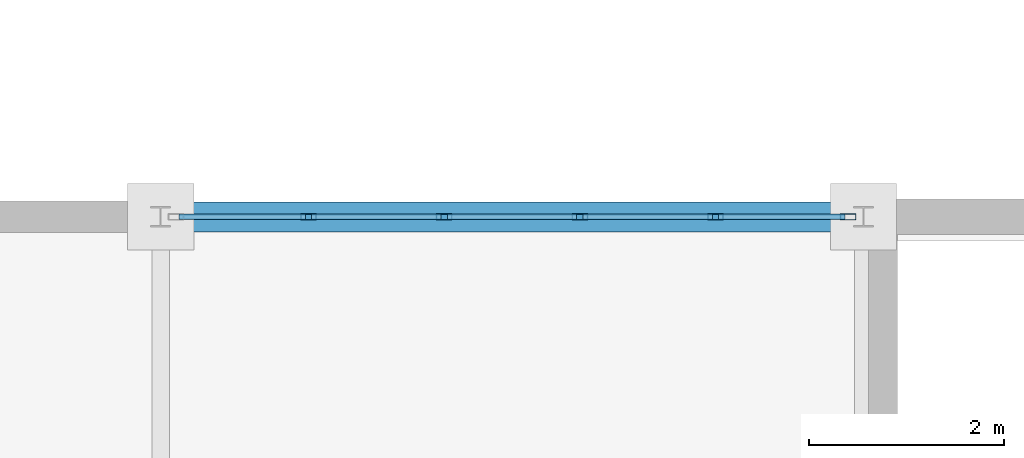
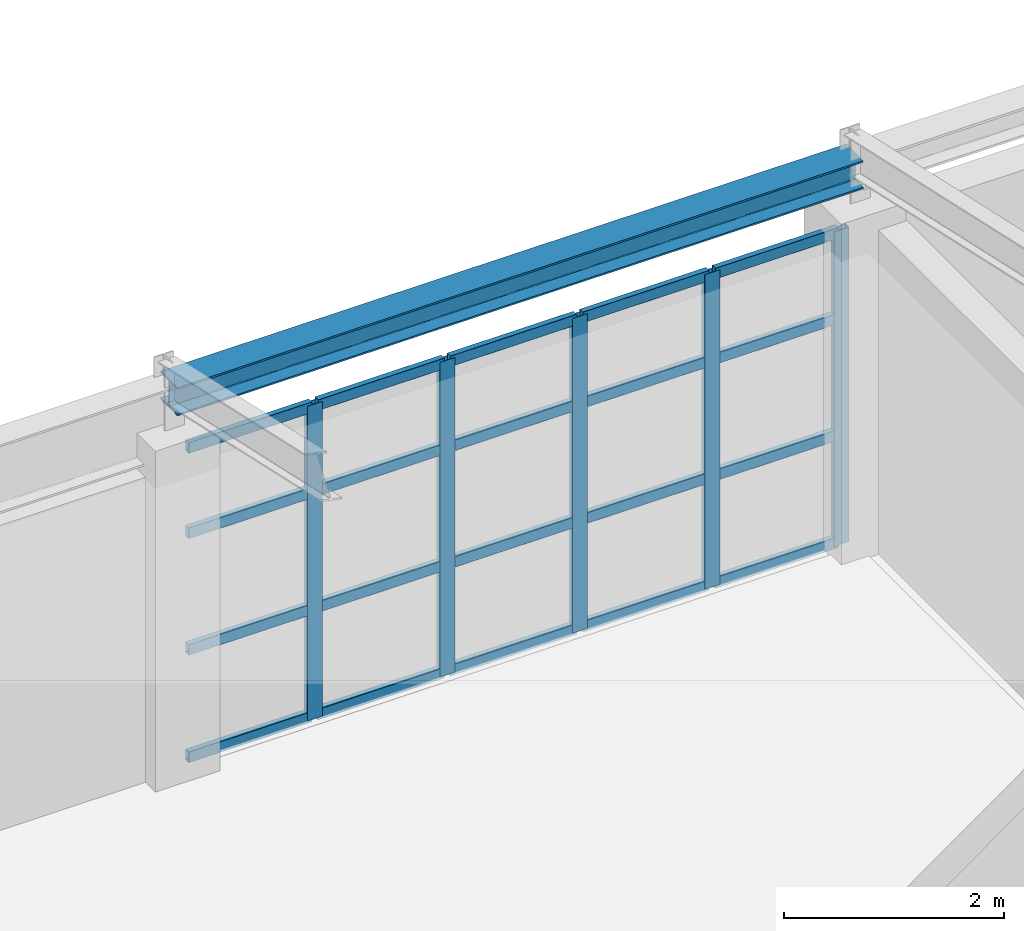
# One storey, part 58 of 101: 25 members, 1 beam, 1 element without a shape of its own.
"""IFC4 building model written with IfcOpenShell, lengths in metres."""

from ifc_helpers import new_model, si_unit, direction, frame, origin, origin_2d, place, context, subcontext, project, spatial, hollow_rectangle, i_section, extrude, material, layer, layer_set, material_profile, profile_set, type_object, element, aggregate, save


model = new_model("IFC4")

# Units and contexts
model_context = context("Model", 3, precision=1e-05, world=origin(), true_north=direction((0.0, 1.0)))
body_context = subcontext(model_context, "Body", "Model", "MODEL_VIEW")
ifc_project = project(units=[si_unit("LENGTHUNIT", "METRE"), si_unit("AREAUNIT", "SQUARE_METRE"), si_unit("VOLUMEUNIT", "CUBIC_METRE"), si_unit("PLANEANGLEUNIT", "RADIAN"), si_unit("MASSUNIT", "GRAM", prefix="KILO")], contexts=[model_context])

# Site, building, storey
site_placement = place(None, origin())
site = spatial("IfcSite", under=ifc_project, at=site_placement, CompositionType="ELEMENT")
building_placement = place(site_placement, origin())
building = spatial("IfcBuilding", under=site, at=building_placement, Name="Kemerveld Promenade Tramway Depot", CompositionType="ELEMENT")
storey_placement = place(building_placement, frame((0.0, 0.0, 9.89990234375)))
storey = spatial("IfcBuildingStorey", under=building, at=storey_placement, Name="L02", CompositionType="ELEMENT", Elevation=9.89990234375)

# Beam
ifc_material_1 = material(Name="Steel S355", Category="steel")
ifc_material_profile_1 = material_profile(ifc_material_1, i_section(OverallWidth=0.307373046875, OverallDepth=0.314453125, WebThickness=0.011962890625, FlangeThickness=0.018798828125, FilletRadius=0.01513671875, at=origin_2d()), Name="305x305x118 UC")
ifc_profile_set_1 = profile_set([ifc_material_profile_1], Name="Steel S355")
beam_type = type_object("IfcBeamType", Name="BM-G12", PredefinedType="BEAM", material=ifc_profile_set_1)
beam_placement = place(storey_placement, frame((79.199951171875, 28.800048828125, 4.117919921875), z_axis=(1.0, 0.0, 0.0), x_axis=(0.0, 1.0, 0.0)))
element("IfcBeam", 1, at=beam_placement, inside=storey, type_object=beam_type, Name="BMX-L02-12-13-E", PredefinedType="BEAM", context=body_context, shape_type="SweptSolid", body=[
    extrude(i_section(OverallWidth=0.307373046875, OverallDepth=0.314453125, WebThickness=0.011962890625, FlangeThickness=0.018798828125, FilletRadius=0.01513671875, at=origin_2d()), origin(), (0.0, 0.0, 1.0), 7.199951171875),
])

# Curtain wall, members
ifc_material_2 = material(Name="Bronze anodised aluminium and solar glass", Category="aluminium")
ifc_layer = layer(ifc_material_2, 0.159912109375)
ifc_layer_set = layer_set([ifc_layer], Name="CW-SYS-07")
curtain_wall_type = type_object("IfcCurtainWallType", Name="CW-SYS-07", PredefinedType="USERDEFINED", material=ifc_layer_set)
curtain_wall_placement = place(storey_placement, origin())
curtain_wall = element("IfcCurtainWall", 2, at=curtain_wall_placement, inside=storey, type_object=curtain_wall_type, Name="CW-L02-V4N-04", ObjectType="GLAZED_CURTAIN_WALL", PredefinedType="USERDEFINED")
ifc_material_3 = material(Name="Bronze anodised aluminium", Category="aluminium")
ifc_material_profile_2 = material_profile(ifc_material_3, hollow_rectangle(XDim=0.06494140625, YDim=0.159912109375, WallThickness=0.00390625, InnerFilletRadius=0.001953125, OuterFilletRadius=0.00390625, at=origin_2d()), Name="CW-MUL-160x65")
ifc_profile_set_2 = profile_set([ifc_material_profile_2], Name="Bronze anodised aluminium")
member_type_1 = type_object("IfcMemberType", Name="CW-MUL-A", PredefinedType="MULLION", material=ifc_profile_set_2)
member_1_placement = place(storey_placement, frame((80.71484375, 28.800048828125, 0.0), z_axis=(0.0, 0.0, 1.0), x_axis=(0.0, 1.0, 0.0)))
member_1 = element("IfcMember", 3, at=member_1_placement, type_object=member_type_1, Name="CW07 mullion 2", PredefinedType="MULLION", context=body_context, shape_type="SweptSolid", body=[
    extrude(hollow_rectangle(XDim=0.06494140625, YDim=0.159912109375, WallThickness=0.00390625, InnerFilletRadius=0.001953125, OuterFilletRadius=0.00390625, at=origin_2d()), origin(), (0.0, 0.0, 1.0), 3.492919921875),
])
member_2_placement = place(storey_placement, frame((82.10498046875, 28.800048828125, 0.0), z_axis=(0.0, 0.0, 1.0), x_axis=(0.0, 1.0, 0.0)))
member_2 = element("IfcMember", 4, at=member_2_placement, type_object=member_type_1, Name="CW07 mullion 3", PredefinedType="MULLION", context=body_context, shape_type="SweptSolid", body=[
    extrude(hollow_rectangle(XDim=0.06494140625, YDim=0.159912109375, WallThickness=0.00390625, InnerFilletRadius=0.001953125, OuterFilletRadius=0.00390625, at=origin_2d()), origin(), (0.0, 0.0, 1.0), 3.492919921875),
])
member_3_placement = place(storey_placement, frame((83.4951171875, 28.800048828125, 0.0), z_axis=(0.0, 0.0, 1.0), x_axis=(0.0, 1.0, 0.0)))
member_3 = element("IfcMember", 5, at=member_3_placement, type_object=member_type_1, Name="CW07 mullion 4", PredefinedType="MULLION", context=body_context, shape_type="SweptSolid", body=[
    extrude(hollow_rectangle(XDim=0.06494140625, YDim=0.159912109375, WallThickness=0.00390625, InnerFilletRadius=0.001953125, OuterFilletRadius=0.00390625, at=origin_2d()), origin(), (0.0, 0.0, 1.0), 3.492919921875),
])
member_4_placement = place(storey_placement, frame((84.885009765625, 28.800048828125, 0.0), z_axis=(0.0, 0.0, 1.0), x_axis=(0.0, 1.0, 0.0)))
member_4 = element("IfcMember", 6, at=member_4_placement, type_object=member_type_1, Name="CW07 mullion 5", PredefinedType="MULLION", context=body_context, shape_type="SweptSolid", body=[
    extrude(hollow_rectangle(XDim=0.06494140625, YDim=0.159912109375, WallThickness=0.00390625, InnerFilletRadius=0.001953125, OuterFilletRadius=0.00390625, at=origin_2d()), origin(), (0.0, 0.0, 1.0), 3.492919921875),
])
member_5_placement = place(storey_placement, frame((86.24267578125, 28.800048828125, 0.0), z_axis=(0.0, 0.0, 1.0), x_axis=(0.0, 1.0, 0.0)))
member_5 = element("IfcMember", 7, at=member_5_placement, type_object=member_type_1, Name="CW07 mullion 6", PredefinedType="MULLION", context=body_context, shape_type="SweptSolid", body=[
    extrude(hollow_rectangle(XDim=0.06494140625, YDim=0.159912109375, WallThickness=0.00390625, InnerFilletRadius=0.001953125, OuterFilletRadius=0.00390625, at=origin_2d()), origin(), (0.0, 0.0, 1.0), 3.492919921875),
])
ifc_material_profile_3 = material_profile(ifc_material_3, hollow_rectangle(XDim=0.06005859375, YDim=0.1201171875, WallThickness=0.00390625, InnerFilletRadius=0.001953125, OuterFilletRadius=0.00390625, at=origin_2d()), Name="CW-TRN-120x60")
ifc_profile_set_3 = profile_set([ifc_material_profile_3], Name="Bronze anodised aluminium")
member_type_2 = type_object("IfcMemberType", Name="CW-TRN-A", PredefinedType="USERDEFINED", material=ifc_profile_set_3)
member_6_placement = place(storey_placement, frame((79.389892578125, 28.800048828125, 0.030029296875), z_axis=(1.0, 0.0, 0.0), x_axis=(0.0, 1.0, 0.0)))
member_6 = element("IfcMember", 8, at=member_6_placement, type_object=member_type_2, Name="CW07 transom 1.1", ObjectType="TRANSOM", PredefinedType="USERDEFINED", context=body_context, shape_type="SweptSolid", body=[
    extrude(hollow_rectangle(XDim=0.06005859375, YDim=0.1201171875, WallThickness=0.00390625, InnerFilletRadius=0.001953125, OuterFilletRadius=0.00390625, at=origin_2d()), origin(), (0.0, 0.0, 1.0), 1.29248046875),
])
member_7_placement = place(storey_placement, frame((79.389892578125, 28.800048828125, 1.22216796875), z_axis=(1.0, 0.0, 0.0), x_axis=(0.0, 1.0, 0.0)))
member_7 = element("IfcMember", 9, at=member_7_placement, type_object=member_type_2, Name="CW07 transom 1.2", ObjectType="TRANSOM", PredefinedType="USERDEFINED", context=body_context, shape_type="SweptSolid", body=[
    extrude(hollow_rectangle(XDim=0.06005859375, YDim=0.1201171875, WallThickness=0.00390625, InnerFilletRadius=0.001953125, OuterFilletRadius=0.00390625, at=origin_2d()), origin(), (0.0, 0.0, 1.0), 1.29248046875),
])
member_8_placement = place(storey_placement, frame((79.389892578125, 28.800048828125, 2.51513671875), z_axis=(1.0, 0.0, 0.0), x_axis=(0.0, 1.0, 0.0)))
member_8 = element("IfcMember", 10, at=member_8_placement, type_object=member_type_2, Name="CW07 transom 1.3", ObjectType="TRANSOM", PredefinedType="USERDEFINED", context=body_context, shape_type="SweptSolid", body=[
    extrude(hollow_rectangle(XDim=0.06005859375, YDim=0.1201171875, WallThickness=0.00390625, InnerFilletRadius=0.001953125, OuterFilletRadius=0.00390625, at=origin_2d()), origin(), (0.0, 0.0, 1.0), 1.29248046875),
])
member_9_placement = place(storey_placement, frame((79.389892578125, 28.800048828125, 3.462890625), z_axis=(1.0, 0.0, 0.0), x_axis=(0.0, 1.0, 0.0)))
member_9 = element("IfcMember", 11, at=member_9_placement, type_object=member_type_2, Name="CW07 transom 1.4", ObjectType="TRANSOM", PredefinedType="USERDEFINED", context=body_context, shape_type="SweptSolid", body=[
    extrude(hollow_rectangle(XDim=0.06005859375, YDim=0.1201171875, WallThickness=0.00390625, InnerFilletRadius=0.001953125, OuterFilletRadius=0.00390625, at=origin_2d()), origin(), (0.0, 0.0, 1.0), 1.29248046875),
])
member_10_placement = place(storey_placement, frame((80.747314453125, 28.800048828125, 0.030029296875), z_axis=(1.0, 0.0, 0.0), x_axis=(0.0, 1.0, 0.0)))
member_10 = element("IfcMember", 12, at=member_10_placement, type_object=member_type_2, Name="CW07 transom 2.1", ObjectType="TRANSOM", PredefinedType="USERDEFINED", context=body_context, shape_type="SweptSolid", body=[
    extrude(hollow_rectangle(XDim=0.06005859375, YDim=0.1201171875, WallThickness=0.00390625, InnerFilletRadius=0.001953125, OuterFilletRadius=0.00390625, at=origin_2d()), origin(), (0.0, 0.0, 1.0), 1.3251953125),
])
member_11_placement = place(storey_placement, frame((80.747314453125, 28.800048828125, 1.22216796875), z_axis=(1.0, 0.0, 0.0), x_axis=(0.0, 1.0, 0.0)))
member_11 = element("IfcMember", 13, at=member_11_placement, type_object=member_type_2, Name="CW07 transom 2.2", ObjectType="TRANSOM", PredefinedType="USERDEFINED", context=body_context, shape_type="SweptSolid", body=[
    extrude(hollow_rectangle(XDim=0.06005859375, YDim=0.1201171875, WallThickness=0.00390625, InnerFilletRadius=0.001953125, OuterFilletRadius=0.00390625, at=origin_2d()), origin(), (0.0, 0.0, 1.0), 1.3251953125),
])
member_12_placement = place(storey_placement, frame((80.747314453125, 28.800048828125, 2.51513671875), z_axis=(1.0, 0.0, 0.0), x_axis=(0.0, 1.0, 0.0)))
member_12 = element("IfcMember", 14, at=member_12_placement, type_object=member_type_2, Name="CW07 transom 2.3", ObjectType="TRANSOM", PredefinedType="USERDEFINED", context=body_context, shape_type="SweptSolid", body=[
    extrude(hollow_rectangle(XDim=0.06005859375, YDim=0.1201171875, WallThickness=0.00390625, InnerFilletRadius=0.001953125, OuterFilletRadius=0.00390625, at=origin_2d()), origin(), (0.0, 0.0, 1.0), 1.3251953125),
])
member_13_placement = place(storey_placement, frame((80.747314453125, 28.800048828125, 3.462890625), z_axis=(1.0, 0.0, 0.0), x_axis=(0.0, 1.0, 0.0)))
member_13 = element("IfcMember", 15, at=member_13_placement, type_object=member_type_2, Name="CW07 transom 2.4", ObjectType="TRANSOM", PredefinedType="USERDEFINED", context=body_context, shape_type="SweptSolid", body=[
    extrude(hollow_rectangle(XDim=0.06005859375, YDim=0.1201171875, WallThickness=0.00390625, InnerFilletRadius=0.001953125, OuterFilletRadius=0.00390625, at=origin_2d()), origin(), (0.0, 0.0, 1.0), 1.3251953125),
])
member_14_placement = place(storey_placement, frame((82.137451171875, 28.800048828125, 0.030029296875), z_axis=(1.0, 0.0, 0.0), x_axis=(0.0, 1.0, 0.0)))
member_14 = element("IfcMember", 16, at=member_14_placement, type_object=member_type_2, Name="CW07 transom 3.1", ObjectType="TRANSOM", PredefinedType="USERDEFINED", context=body_context, shape_type="SweptSolid", body=[
    extrude(hollow_rectangle(XDim=0.06005859375, YDim=0.1201171875, WallThickness=0.00390625, InnerFilletRadius=0.001953125, OuterFilletRadius=0.00390625, at=origin_2d()), origin(), (0.0, 0.0, 1.0), 1.3251953125),
])
member_15_placement = place(storey_placement, frame((82.137451171875, 28.800048828125, 1.22216796875), z_axis=(1.0, 0.0, 0.0), x_axis=(0.0, 1.0, 0.0)))
member_15 = element("IfcMember", 17, at=member_15_placement, type_object=member_type_2, Name="CW07 transom 3.2", ObjectType="TRANSOM", PredefinedType="USERDEFINED", context=body_context, shape_type="SweptSolid", body=[
    extrude(hollow_rectangle(XDim=0.06005859375, YDim=0.1201171875, WallThickness=0.00390625, InnerFilletRadius=0.001953125, OuterFilletRadius=0.00390625, at=origin_2d()), origin(), (0.0, 0.0, 1.0), 1.3251953125),
])
member_16_placement = place(storey_placement, frame((82.137451171875, 28.800048828125, 2.51513671875), z_axis=(1.0, 0.0, 0.0), x_axis=(0.0, 1.0, 0.0)))
member_16 = element("IfcMember", 18, at=member_16_placement, type_object=member_type_2, Name="CW07 transom 3.3", ObjectType="TRANSOM", PredefinedType="USERDEFINED", context=body_context, shape_type="SweptSolid", body=[
    extrude(hollow_rectangle(XDim=0.06005859375, YDim=0.1201171875, WallThickness=0.00390625, InnerFilletRadius=0.001953125, OuterFilletRadius=0.00390625, at=origin_2d()), origin(), (0.0, 0.0, 1.0), 1.3251953125),
])
member_17_placement = place(storey_placement, frame((82.137451171875, 28.800048828125, 3.462890625), z_axis=(1.0, 0.0, 0.0), x_axis=(0.0, 1.0, 0.0)))
member_17 = element("IfcMember", 19, at=member_17_placement, type_object=member_type_2, Name="CW07 transom 3.4", ObjectType="TRANSOM", PredefinedType="USERDEFINED", context=body_context, shape_type="SweptSolid", body=[
    extrude(hollow_rectangle(XDim=0.06005859375, YDim=0.1201171875, WallThickness=0.00390625, InnerFilletRadius=0.001953125, OuterFilletRadius=0.00390625, at=origin_2d()), origin(), (0.0, 0.0, 1.0), 1.3251953125),
])
member_18_placement = place(storey_placement, frame((83.527587890625, 28.800048828125, 0.030029296875), z_axis=(1.0, 0.0, 0.0), x_axis=(0.0, 1.0, 0.0)))
member_18 = element("IfcMember", 20, at=member_18_placement, type_object=member_type_2, Name="CW07 transom 4.1", ObjectType="TRANSOM", PredefinedType="USERDEFINED", context=body_context, shape_type="SweptSolid", body=[
    extrude(hollow_rectangle(XDim=0.06005859375, YDim=0.1201171875, WallThickness=0.00390625, InnerFilletRadius=0.001953125, OuterFilletRadius=0.00390625, at=origin_2d()), origin(), (0.0, 0.0, 1.0), 1.324951171875),
])
member_19_placement = place(storey_placement, frame((83.527587890625, 28.800048828125, 1.22216796875), z_axis=(1.0, 0.0, 0.0), x_axis=(0.0, 1.0, 0.0)))
member_19 = element("IfcMember", 21, at=member_19_placement, type_object=member_type_2, Name="CW07 transom 4.2", ObjectType="TRANSOM", PredefinedType="USERDEFINED", context=body_context, shape_type="SweptSolid", body=[
    extrude(hollow_rectangle(XDim=0.06005859375, YDim=0.1201171875, WallThickness=0.00390625, InnerFilletRadius=0.001953125, OuterFilletRadius=0.00390625, at=origin_2d()), origin(), (0.0, 0.0, 1.0), 1.324951171875),
])
member_20_placement = place(storey_placement, frame((83.527587890625, 28.800048828125, 2.51513671875), z_axis=(1.0, 0.0, 0.0), x_axis=(0.0, 1.0, 0.0)))
member_20 = element("IfcMember", 22, at=member_20_placement, type_object=member_type_2, Name="CW07 transom 4.3", ObjectType="TRANSOM", PredefinedType="USERDEFINED", context=body_context, shape_type="SweptSolid", body=[
    extrude(hollow_rectangle(XDim=0.06005859375, YDim=0.1201171875, WallThickness=0.00390625, InnerFilletRadius=0.001953125, OuterFilletRadius=0.00390625, at=origin_2d()), origin(), (0.0, 0.0, 1.0), 1.324951171875),
])
member_21_placement = place(storey_placement, frame((83.527587890625, 28.800048828125, 3.462890625), z_axis=(1.0, 0.0, 0.0), x_axis=(0.0, 1.0, 0.0)))
member_21 = element("IfcMember", 23, at=member_21_placement, type_object=member_type_2, Name="CW07 transom 4.4", ObjectType="TRANSOM", PredefinedType="USERDEFINED", context=body_context, shape_type="SweptSolid", body=[
    extrude(hollow_rectangle(XDim=0.06005859375, YDim=0.1201171875, WallThickness=0.00390625, InnerFilletRadius=0.001953125, OuterFilletRadius=0.00390625, at=origin_2d()), origin(), (0.0, 0.0, 1.0), 1.324951171875),
])
member_22_placement = place(storey_placement, frame((84.917724609375, 28.800048828125, 0.030029296875), z_axis=(1.0, 0.0, 0.0), x_axis=(0.0, 1.0, 0.0)))
member_22 = element("IfcMember", 24, at=member_22_placement, type_object=member_type_2, Name="CW07 transom 5.1", ObjectType="TRANSOM", PredefinedType="USERDEFINED", context=body_context, shape_type="SweptSolid", body=[
    extrude(hollow_rectangle(XDim=0.06005859375, YDim=0.1201171875, WallThickness=0.00390625, InnerFilletRadius=0.001953125, OuterFilletRadius=0.00390625, at=origin_2d()), origin(), (0.0, 0.0, 1.0), 1.29248046875),
])
member_23_placement = place(storey_placement, frame((84.917724609375, 28.800048828125, 1.22216796875), z_axis=(1.0, 0.0, 0.0), x_axis=(0.0, 1.0, 0.0)))
member_23 = element("IfcMember", 25, at=member_23_placement, type_object=member_type_2, Name="CW07 transom 5.2", ObjectType="TRANSOM", PredefinedType="USERDEFINED", context=body_context, shape_type="SweptSolid", body=[
    extrude(hollow_rectangle(XDim=0.06005859375, YDim=0.1201171875, WallThickness=0.00390625, InnerFilletRadius=0.001953125, OuterFilletRadius=0.00390625, at=origin_2d()), origin(), (0.0, 0.0, 1.0), 1.29248046875),
])
member_24_placement = place(storey_placement, frame((84.917724609375, 28.800048828125, 2.51513671875), z_axis=(1.0, 0.0, 0.0), x_axis=(0.0, 1.0, 0.0)))
member_24 = element("IfcMember", 26, at=member_24_placement, type_object=member_type_2, Name="CW07 transom 5.3", ObjectType="TRANSOM", PredefinedType="USERDEFINED", context=body_context, shape_type="SweptSolid", body=[
    extrude(hollow_rectangle(XDim=0.06005859375, YDim=0.1201171875, WallThickness=0.00390625, InnerFilletRadius=0.001953125, OuterFilletRadius=0.00390625, at=origin_2d()), origin(), (0.0, 0.0, 1.0), 1.29248046875),
])
member_25_placement = place(storey_placement, frame((84.917724609375, 28.800048828125, 3.462890625), z_axis=(1.0, 0.0, 0.0), x_axis=(0.0, 1.0, 0.0)))
member_25 = element("IfcMember", 27, at=member_25_placement, type_object=member_type_2, Name="CW07 transom 5.4", ObjectType="TRANSOM", PredefinedType="USERDEFINED", context=body_context, shape_type="SweptSolid", body=[
    extrude(hollow_rectangle(XDim=0.06005859375, YDim=0.1201171875, WallThickness=0.00390625, InnerFilletRadius=0.001953125, OuterFilletRadius=0.00390625, at=origin_2d()), origin(), (0.0, 0.0, 1.0), 1.29248046875),
])
aggregate(curtain_wall, [member_1, member_2, member_3, member_4, member_5, member_6, member_7, member_8, member_9, member_10, member_11, member_12, member_13, member_14, member_15, member_16, member_17, member_18, member_19, member_20, member_21, member_22, member_23, member_24, member_25])

save(model, "model.ifc")
